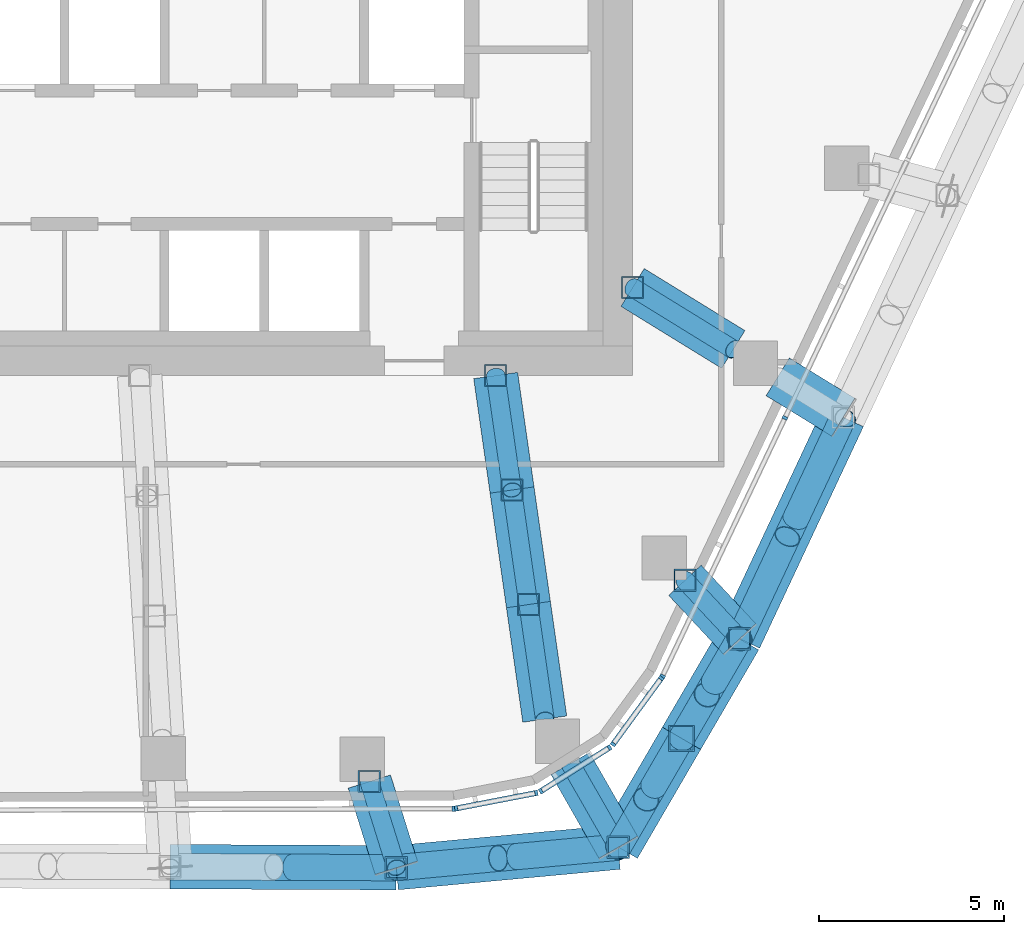
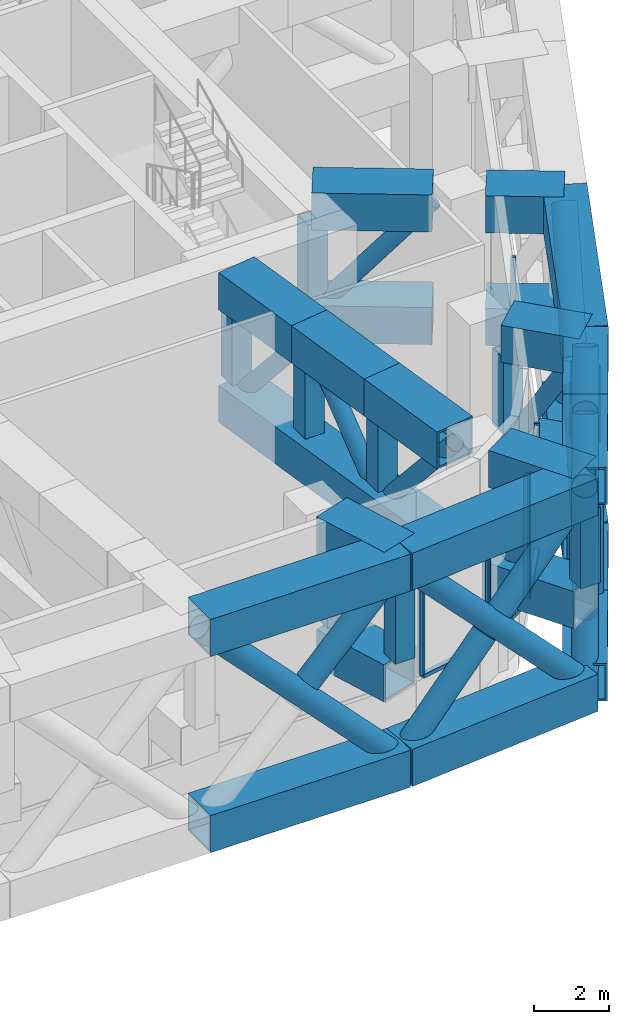
# One storey, part 5 of 21: 67 members, 3 elements without a shape of their own.
"""IFC4 building model written with IfcOpenShell, lengths in metres."""

from ifc_helpers import new_model, si_unit, direction, frame, origin, origin_2d, place, context, subcontext, project, spatial, rectangle, hollow_rectangle, hollow_circle, extrude, material, layer, layer_set, material_profile, profile_set, type_object, element, aggregate, save


model = new_model("IFC4")

# Units and contexts
model_context = context("Model", 3, precision=1e-05, world=origin(), true_north=direction((0.0, 1.0)))
body_context = subcontext(model_context, "Body", "Model", "MODEL_VIEW")
ifc_project = project(units=[si_unit("LENGTHUNIT", "METRE"), si_unit("AREAUNIT", "SQUARE_METRE"), si_unit("VOLUMEUNIT", "CUBIC_METRE"), si_unit("PLANEANGLEUNIT", "RADIAN"), si_unit("MASSUNIT", "GRAM", prefix="KILO")], contexts=[model_context])

# Site, building, storey
site_placement = place(None, origin())
site = spatial("IfcSite", under=ifc_project, at=site_placement, CompositionType="ELEMENT")
building_placement = place(site_placement, origin())
building = spatial("IfcBuilding", under=site, at=building_placement, Name="Dongbaek Canopy Tower", CompositionType="ELEMENT")
storey_placement = place(building_placement, frame((0.0, 0.0, 220.60009765625)))
storey = spatial("IfcBuildingStorey", under=building, at=storey_placement, Name="L46", CompositionType="ELEMENT", Elevation=220.60009765625)

# Members
ifc_material_1 = material(Name="Steel S355", Category="steel")
ifc_material_profile_1 = material_profile(ifc_material_1, hollow_circle(Radius=0.35546875, WallThickness=0.02001953125, at=origin_2d()), Name="BELT BRACE CHS 711.0x20.0 Steel S355")
ifc_profile_set_1 = profile_set([ifc_material_profile_1], Name="Steel S355")
member_type_1 = type_object("IfcMemberType", Name="BELT BRACE CHS 711.0x20.0 Steel S355", PredefinedType="BRACE", material=ifc_profile_set_1)
member_1_placement = place(storey_placement, frame((19.69482421875, -12.127197265625, 0.599853515625), z_axis=(-0.306001209366, -0.65309553153, 0.692697254622), x_axis=(0.905532094181, -0.424277770344, 0.0)))
element("IfcMember", 1, at=member_1_placement, inside=storey, type_object=member_type_1, Name="BELT:L46:24:D0:0", PredefinedType="BRACE", context=body_context, shape_type="SweptSolid", body=[
    extrude(hollow_circle(Radius=0.35546875, WallThickness=0.02001953125, at=origin_2d()), origin(), (0.0, 0.0, 1.0), 9.167236328125),
])
member_2_placement = place(storey_placement, frame((16.8896484375, -18.1142578125, 0.599853515625), z_axis=(0.306053734632, 0.653107120507, 0.692663122059), x_axis=(-0.905507006118, 0.424331311443, 0.0)))
element("IfcMember", 2, at=member_2_placement, inside=storey, type_object=member_type_1, Name="BELT:L46:24:D0:1", PredefinedType="BRACE", context=body_context, shape_type="SweptSolid", body=[
    extrude(hollow_circle(Radius=0.35546875, WallThickness=0.02001953125, at=origin_2d()), origin(), (0.0, 0.0, 1.0), 4.227783203125),
])
member_3_placement = place(storey_placement, frame((19.69482421875, -12.127197265625, 6.949951171875), z_axis=(-0.306012937443, -0.653085546244, -0.692701487947), x_axis=(0.905523354183, -0.42429642354, 0.0)))
element("IfcMember", 3, at=member_3_placement, inside=storey, type_object=member_type_1, Name="BELT:L46:24:D0:2", PredefinedType="BRACE", context=body_context, shape_type="SweptSolid", body=[
    extrude(hollow_circle(Radius=0.35546875, WallThickness=0.02001953125, at=origin_2d()), origin(), (0.0, 0.0, 1.0), 4.2275390625),
])
member_4_placement = place(storey_placement, frame((16.8896484375, -18.1142578125, 0.599853515625), z_axis=(-0.221524083086, -0.380391751835, 0.897902664964), x_axis=(0.864145595078, -0.503241880717, 0.0)))
element("IfcMember", 4, at=member_4_placement, inside=storey, type_object=member_type_1, Name="BELT:L46:25:D0:0", PredefinedType="BRACE", context=body_context, shape_type="SweptSolid", body=[
    extrude(hollow_circle(Radius=0.35546875, WallThickness=0.02001953125, at=origin_2d()), origin(), (0.0, 0.0, 1.0), 7.072265625),
])
for number, where, z_axis, x_axis, name in (
    (5, (15.322998046875, -20.804443359375, 0.599853515625), (0.221565040854, 0.380402099773, 0.897888175198), (-0.86411108595, 0.503301133655, 0.0), "BELT:L46:25:D0:1"),
    (6, (16.8896484375, -18.1142578125, 6.949951171875), (-0.221489819963, -0.380408765786, -0.897903909428), (0.864189229594, -0.503166945907, 0.0), "BELT:L46:25:D0:2"),
):
    element("IfcMember", number, at=place(storey_placement, frame(where, z_axis=z_axis, x_axis=x_axis)), inside=storey, type_object=member_type_1, Name=name, PredefinedType="BRACE", context=body_context, shape_type="SweptSolid", body=[
        extrude(hollow_circle(Radius=0.35546875, WallThickness=0.02001953125, at=origin_2d()), origin(), (0.0, 0.0, 1.0), 3.08642578125),
    ])
member_5_placement = place(storey_placement, frame((15.322998046875, -20.804443359375, 0.599853515625), z_axis=(-0.237482847951, -0.408309194486, 0.88141108379), x_axis=(0.864420903605, -0.502768834963, 0.0)))
element("IfcMember", 7, at=member_5_placement, inside=storey, type_object=member_type_1, Name="BELT:L46:25:D1:0", PredefinedType="BRACE", context=body_context, shape_type="SweptSolid", body=[
    extrude(hollow_circle(Radius=0.35546875, WallThickness=0.02001953125, at=origin_2d()), origin(), (0.0, 0.0, 1.0), 7.204345703125),
])
member_6_placement = place(storey_placement, frame((13.612060546875, -23.74609375, 0.599853515625), z_axis=(0.23749460365, 0.408330799606, 0.881397907491), x_axis=(-0.864421649187, 0.502767553067, 0.0)))
element("IfcMember", 8, at=member_6_placement, inside=storey, type_object=member_type_1, Name="BELT:L46:25:D1:1", PredefinedType="BRACE", context=body_context, shape_type="SweptSolid", body=[
    extrude(hollow_circle(Radius=0.35546875, WallThickness=0.02001953125, at=origin_2d()), origin(), (0.0, 0.0, 1.0), 3.175537109375),
])
member_7_placement = place(storey_placement, frame((15.322998046875, -20.804443359375, 6.949951171875), z_axis=(-0.237429507798, -0.408274186013, -0.881441670142), x_axis=(0.864451248705, -0.50271665838, 0.0)))
element("IfcMember", 9, at=member_7_placement, inside=storey, type_object=member_type_1, Name="BELT:L46:25:D1:2", PredefinedType="BRACE", context=body_context, shape_type="SweptSolid", body=[
    extrude(hollow_circle(Radius=0.35546875, WallThickness=0.02001953125, at=origin_2d()), origin(), (0.0, 0.0, 1.0), 3.17529296875),
])
member_8_placement = place(storey_placement, frame((13.612060546875, -23.74609375, 0.599853515625), z_axis=(-0.685187593646, -0.063299159236, 0.725610899831), x_axis=(0.0919905205, -0.995759882772, 0.0)))
element("IfcMember", 10, at=member_8_placement, inside=storey, type_object=member_type_1, Name="BELT:L46:0:D0:0", PredefinedType="BRACE", context=body_context, shape_type="SweptSolid", body=[
    extrude(hollow_circle(Radius=0.35546875, WallThickness=0.02001953125, at=origin_2d()), origin(), (0.0, 0.0, 1.0), 8.75146484375),
])
for number, where, z_axis, x_axis, name in (
    (11, (7.61572265625, -24.300048828125, 0.599853515625), (0.685173939266, 0.06328793943, 0.725624771954), (-0.091976170473, 0.995761208355, 0.0), "BELT:L46:0:D0:1"),
    (12, (13.612060546875, -23.74609375, 6.949951171875), (-0.685173939266, -0.06328793943, -0.725624771954), (0.091976170473, -0.995761208355, 0.0), "BELT:L46:0:D0:2"),
):
    element("IfcMember", number, at=place(storey_placement, frame(where, z_axis=z_axis, x_axis=x_axis)), inside=storey, type_object=member_type_1, Name=name, PredefinedType="BRACE", context=body_context, shape_type="SweptSolid", body=[
        extrude(hollow_circle(Radius=0.35546875, WallThickness=0.02001953125, at=origin_2d()), origin(), (0.0, 0.0, 1.0), 4.01953125),
    ])
member_9_placement = place(storey_placement, frame((7.61572265625, -24.300048828125, 0.599853515625), z_axis=(-0.693571103119, 0.003185076146, 0.720381135378), x_axis=(-0.004592236538, -0.999989455626, 0.0)))
element("IfcMember", 13, at=member_9_placement, inside=storey, type_object=member_type_1, Name="BELT:L46:1:D0:0", PredefinedType="BRACE", context=body_context, shape_type="SweptSolid", body=[
    extrude(hollow_circle(Radius=0.35546875, WallThickness=0.02001953125, at=origin_2d()), origin(), (0.0, 0.0, 1.0), 8.81494140625),
])
member_10_placement = place(storey_placement, frame((7.61572265625, -24.300048828125, 6.949951171875), z_axis=(-0.693599937179, 0.003193536328, -0.720353335851), x_axis=(-0.004604242744, -0.999989400418, 0.0)))
element("IfcMember", 14, at=member_10_placement, inside=storey, type_object=member_type_1, Name="BELT:L46:1:D0:2", PredefinedType="BRACE", context=body_context, shape_type="SweptSolid", body=[
    extrude(hollow_circle(Radius=0.35546875, WallThickness=0.02001953125, at=origin_2d()), origin(), (0.0, 0.0, 1.0), 4.0517578125),
])
ifc_material_2 = material(Name="Steel S355", Category="steel")
ifc_material_profile_2 = material_profile(ifc_material_2, hollow_rectangle(XDim=1.199951171875, YDim=1.199951171875, WallThickness=0.06005859375, at=origin_2d()), Name="BELT CHORD BOX 1200x1200x60 Steel S355")
ifc_profile_set_2 = profile_set([ifc_material_profile_2], Name="Steel S355")
member_type_2 = type_object("IfcMemberType", Name="BELT CHORD BOX 1200x1200x60 Steel S355", PredefinedType="CHORD", material=ifc_profile_set_2)
for number, where, z_axis, x_axis, name in (
    (15, (19.69482421875, -12.127197265625, 0.599853515625), (-0.424277770344, -0.905532094181, 0.0), (0.905532094181, -0.424277770344, 0.0), "BELT:L46:24:CB0"),
    (16, (19.69482421875, -12.127197265625, 6.949951171875), (-0.424277770344, -0.905532094181, 0.0), (0.905532094181, -0.424277770344, 0.0), "BELT:L46:24:CT0"),
):
    element("IfcMember", number, at=place(storey_placement, frame(where, z_axis=z_axis, x_axis=x_axis)), inside=storey, type_object=member_type_2, Name=name, PredefinedType="CHORD", context=body_context, shape_type="SweptSolid", body=[
        extrude(hollow_rectangle(XDim=1.199951171875, YDim=1.199951171875, WallThickness=0.06005859375, at=origin_2d()), origin(), (0.0, 0.0, 1.0), 6.611572265625),
    ])
for number, where, z_axis, x_axis, name in (
    (17, (16.8896484375, -18.1142578125, 0.599853515625), (-0.503241880717, -0.864145595078, 0.0), (0.864145595078, -0.503241880717, 0.0), "BELT:L46:25:CB0"),
    (18, (16.8896484375, -18.1142578125, 6.949951171875), (-0.503241880717, -0.864145595078, 0.0), (0.864145595078, -0.503241880717, 0.0), "BELT:L46:25:CT0"),
):
    element("IfcMember", number, at=place(storey_placement, frame(where, z_axis=z_axis, x_axis=x_axis)), inside=storey, type_object=member_type_2, Name=name, PredefinedType="CHORD", context=body_context, shape_type="SweptSolid", body=[
        extrude(hollow_rectangle(XDim=1.199951171875, YDim=1.199951171875, WallThickness=0.06005859375, at=origin_2d()), origin(), (0.0, 0.0, 1.0), 3.113037109375),
    ])
for number, where, z_axis, x_axis, name in (
    (19, (15.322998046875, -20.804443359375, 0.599853515625), (-0.502768834963, -0.864420903605, 0.0), (0.864420903605, -0.502768834963, 0.0), "BELT:L46:25:CB1"),
    (20, (15.322998046875, -20.804443359375, 6.949951171875), (-0.502768834963, -0.864420903605, 0.0), (0.864420903605, -0.502768834963, 0.0), "BELT:L46:25:CT1"),
):
    element("IfcMember", number, at=place(storey_placement, frame(where, z_axis=z_axis, x_axis=x_axis)), inside=storey, type_object=member_type_2, Name=name, PredefinedType="CHORD", context=body_context, shape_type="SweptSolid", body=[
        extrude(hollow_rectangle(XDim=1.199951171875, YDim=1.199951171875, WallThickness=0.06005859375, at=origin_2d()), origin(), (0.0, 0.0, 1.0), 3.403076171875),
    ])
for number, where, z_axis, x_axis, name in (
    (21, (13.612060546875, -23.74609375, 0.599853515625), (-0.995759882772, -0.0919905205, 0.0), (0.0919905205, -0.995759882772, 0.0), "BELT:L46:0:CB0"),
    (22, (13.612060546875, -23.74609375, 6.949951171875), (-0.995759882772, -0.0919905205, 0.0), (0.0919905205, -0.995759882772, 0.0), "BELT:L46:0:CT0"),
):
    element("IfcMember", number, at=place(storey_placement, frame(where, z_axis=z_axis, x_axis=x_axis)), inside=storey, type_object=member_type_2, Name=name, PredefinedType="CHORD", context=body_context, shape_type="SweptSolid", body=[
        extrude(hollow_rectangle(XDim=1.199951171875, YDim=1.199951171875, WallThickness=0.06005859375, at=origin_2d()), origin(), (0.0, 0.0, 1.0), 6.02197265625),
    ])
for number, where, z_axis, x_axis, name in (
    (23, (7.61572265625, -24.300048828125, 0.599853515625), (-0.999989455626, 0.004592236538, 0.0), (-0.004592236538, -0.999989455626, 0.0), "BELT:L46:1:CB0"),
    (24, (7.61572265625, -24.300048828125, 6.949951171875), (-0.999989455626, 0.004592236538, 0.0), (-0.004592236538, -0.999989455626, 0.0), "BELT:L46:1:CT0"),
):
    element("IfcMember", number, at=place(storey_placement, frame(where, z_axis=z_axis, x_axis=x_axis)), inside=storey, type_object=member_type_2, Name=name, PredefinedType="CHORD", context=body_context, shape_type="SweptSolid", body=[
        extrude(hollow_rectangle(XDim=1.199951171875, YDim=1.199951171875, WallThickness=0.06005859375, at=origin_2d()), origin(), (0.0, 0.0, 1.0), 6.11376953125),
    ])
ifc_material_3 = material(Name="Steel S355", Category="steel")
ifc_material_profile_3 = material_profile(ifc_material_3, hollow_rectangle(XDim=0.699951171875, YDim=0.699951171875, WallThickness=0.035888671875, at=origin_2d()), Name="BELT POST BOX 700x700x36 Steel S355")
ifc_profile_set_3 = profile_set([ifc_material_profile_3], Name="Steel S355")
member_type_3 = type_object("IfcMemberType", Name="BELT POST BOX 700x700x36 Steel S355", PredefinedType="POST", material=ifc_profile_set_3)
member_11_placement = place(storey_placement, frame((15.322998046875, -20.804443359375, 1.199951171875), z_axis=(0.0, 0.0, 1.0), x_axis=(1.0, 0.0, 0.0)))
element("IfcMember", 25, at=member_11_placement, inside=storey, type_object=member_type_3, Name="BELT:L46:25:P1", PredefinedType="POST", context=body_context, shape_type="SweptSolid", body=[
    extrude(hollow_rectangle(XDim=0.699951171875, YDim=0.699951171875, WallThickness=0.035888671875, at=origin_2d()), origin(), (0.0, 0.0, 1.0), 5.14990234375),
])
ifc_material_4 = material(Name="Steel S355", Category="steel")
ifc_material_profile_4 = material_profile(ifc_material_4, hollow_circle(Radius=0.25390625, WallThickness=0.01611328125, at=origin_2d()), Name="BRACE CHS 508.0x16.0 Steel S355")
ifc_profile_set_4 = profile_set([ifc_material_profile_4], Name="Steel S355")
member_type_4 = type_object("IfcMemberType", Name="BRACE CHS 508.0x16.0 Steel S355", PredefinedType="BRACE", material=ifc_profile_set_4)
member_12_placement = place(storey_placement, frame((6.885986328125, -21.971923828125, 3.2998046875), z_axis=(0.166209057405, -0.530267504656, 0.831378928493), x_axis=(0.954223230185, 0.299095347632, 0.0)))
element("IfcMember", 26, at=member_12_placement, inside=storey, type_object=member_type_4, Name="TRUSS:L46:1:D0", PredefinedType="BRACE", context=body_context, shape_type="SweptSolid", body=[
    extrude(hollow_circle(Radius=0.25390625, WallThickness=0.01611328125, at=origin_2d()), origin(), (0.0, 0.0, 1.0), 4.390380859375),
])
member_13_placement = place(storey_placement, frame((15.414306640625, -16.531982421875, 3.2998046875), z_axis=(0.347704713663, -0.372906544639, 0.86025702035), x_axis=(0.731389177572, 0.681960314777, 0.0)))
element("IfcMember", 27, at=member_13_placement, inside=storey, type_object=member_type_4, Name="TRUSS:L46:25:D0", PredefinedType="BRACE", context=body_context, shape_type="SweptSolid", body=[
    extrude(hollow_circle(Radius=0.25390625, WallThickness=0.01611328125, at=origin_2d()), origin(), (0.0, 0.0, 1.0), 4.2431640625),
])
ifc_material_5 = material(Name="Steel S355", Category="steel")
ifc_material_profile_5 = material_profile(ifc_material_5, hollow_rectangle(XDim=1.199951171875, YDim=1.199951171875, WallThickness=0.06005859375, at=origin_2d()), Name="CHORD BOX 1200x1200x60 Steel S355")
ifc_profile_set_5 = profile_set([ifc_material_profile_5], Name="Steel S355")
member_type_5 = type_object("IfcMemberType", Name="CHORD BOX 1200x1200x60 Steel S355", PredefinedType="CHORD", material=ifc_profile_set_5)
for number, where, z_axis, x_axis, name in (
    (28, (6.885986328125, -21.971923828125, 3.2998046875), (0.299095347632, -0.954223230185, 0.0), (0.954223230185, 0.299095347632, 0.0), "TRUSS:L46:1:CB"),
    (29, (6.885986328125, -21.971923828125, 6.949951171875), (0.299095347632, -0.954223230185, 0.0), (0.954223230185, 0.299095347632, 0.0), "TRUSS:L46:1:CT0"),
):
    element("IfcMember", number, at=place(storey_placement, frame(where, z_axis=z_axis, x_axis=x_axis)), inside=storey, type_object=member_type_5, Name=name, PredefinedType="CHORD", context=body_context, shape_type="SweptSolid", body=[
        extrude(hollow_rectangle(XDim=1.199951171875, YDim=1.199951171875, WallThickness=0.06005859375, at=origin_2d()), origin(), (0.0, 0.0, 1.0), 2.439697265625),
    ])
for number, where, z_axis, x_axis, name in (
    (30, (15.414306640625, -16.531982421875, 3.2998046875), (0.681960314777, -0.731389177572, 0.0), (0.731389177572, 0.681960314777, 0.0), "TRUSS:L46:25:CB"),
    (31, (15.414306640625, -16.531982421875, 6.949951171875), (0.681960314777, -0.731389177572, 0.0), (0.731389177572, 0.681960314777, 0.0), "TRUSS:L46:25:CT0"),
):
    element("IfcMember", number, at=place(storey_placement, frame(where, z_axis=z_axis, x_axis=x_axis)), inside=storey, type_object=member_type_5, Name=name, PredefinedType="CHORD", context=body_context, shape_type="SweptSolid", body=[
        extrude(hollow_rectangle(XDim=1.199951171875, YDim=1.199951171875, WallThickness=0.06005859375, at=origin_2d()), origin(), (0.0, 0.0, 1.0), 2.163330078125),
    ])

# Curtain wall, member
ifc_material_6 = material(Name="Aluminium 6063-T6 pale anodised", Category="aluminium")
ifc_layer = layer(ifc_material_6, 0.14990234375)
ifc_layer_set = layer_set([ifc_layer], Name="CW-7 louvre curtain wall")
curtain_wall_type = type_object("IfcCurtainWallType", Name="CW-7 louvre curtain wall", PredefinedType="NOTDEFINED", material=ifc_layer_set)
curtain_wall_1_placement = place(storey_placement, origin())
curtain_wall_1 = element("IfcCurtainWall", 32, at=curtain_wall_1_placement, inside=storey, type_object=curtain_wall_type, Name="CW-7 louvre wall L46 F4", PredefinedType="NOTDEFINED")
ifc_material_7 = material(Name="Aluminium 6063-T6 pale anodised", Category="aluminium")
ifc_material_profile_6 = material_profile(ifc_material_7, rectangle(XDim=0.14990234375, YDim=0.080078125, at=origin_2d()), Name="CW-7 mullion 80 x 150")
ifc_profile_set_6 = profile_set([ifc_material_profile_6], Name="Aluminium 6063-T6 pale anodised")
member_type_6 = type_object("IfcMemberType", Name="CW-7 mullion 80 x 150", PredefinedType="MULLION", material=ifc_profile_set_6)
member_14_placement = place(storey_placement, frame((9.1669921875, -22.704833984375, 1.77490234375), z_axis=(0.0, 0.0, 1.0), x_axis=(0.003105553262, -0.999995177758, 0.0)))
member_14 = element("IfcMember", 33, at=member_14_placement, type_object=member_type_6, Name="CW-7 mullion L46 F4.1.3", PredefinedType="MULLION", context=body_context, shape_type="SweptSolid", body=[
    extrude(rectangle(XDim=0.14990234375, YDim=0.080078125, at=origin_2d()), origin(), (0.0, 0.0, 1.0), 4.0),
])
aggregate(curtain_wall_1, [member_14])

# Curtain wall, members
curtain_wall_2_placement = place(storey_placement, origin())
curtain_wall_2 = element("IfcCurtainWall", 34, at=curtain_wall_2_placement, inside=storey, type_object=curtain_wall_type, Name="CW-7 louvre wall L46 K5", PredefinedType="NOTDEFINED")
member_15_placement = place(storey_placement, frame((9.232177734375, -22.698486328125, 1.77490234375), z_axis=(0.0, 0.0, 1.0), x_axis=(0.189422207011, -0.981895731476, 0.0)))
member_15 = element("IfcMember", 35, at=member_15_placement, type_object=member_type_6, Name="CW-7 mullion L46 K5.1.1", PredefinedType="MULLION", context=body_context, shape_type="SweptSolid", body=[
    extrude(rectangle(XDim=0.14990234375, YDim=0.080078125, at=origin_2d()), origin(), (0.0, 0.0, 1.0), 4.0),
])
member_16_placement = place(storey_placement, frame((11.400390625, -22.2802734375, 1.77490234375), z_axis=(0.0, 0.0, 1.0), x_axis=(0.189422207011, -0.981895731476, 0.0)))
member_16 = element("IfcMember", 36, at=member_16_placement, type_object=member_type_6, Name="CW-7 mullion L46 K5.1.2", PredefinedType="MULLION", context=body_context, shape_type="SweptSolid", body=[
    extrude(rectangle(XDim=0.14990234375, YDim=0.080078125, at=origin_2d()), origin(), (0.0, 0.0, 1.0), 4.0),
])
member_17_placement = place(storey_placement, frame((11.521728515625, -22.232177734375, 1.77490234375), z_axis=(0.0, 0.0, 1.0), x_axis=(0.535846388296, -0.844315490886, 0.0)))
member_17 = element("IfcMember", 37, at=member_17_placement, type_object=member_type_6, Name="CW-7 mullion L46 K5.2.1", PredefinedType="MULLION", context=body_context, shape_type="SweptSolid", body=[
    extrude(rectangle(XDim=0.14990234375, YDim=0.080078125, at=origin_2d()), origin(), (0.0, 0.0, 1.0), 4.0),
])
member_18_placement = place(storey_placement, frame((13.3779296875, -21.053955078125, 1.77490234375), z_axis=(0.0, 0.0, 1.0), x_axis=(0.535846388296, -0.844315490886, 0.0)))
member_18 = element("IfcMember", 38, at=member_18_placement, type_object=member_type_6, Name="CW-7 mullion L46 K5.2.2", PredefinedType="MULLION", context=body_context, shape_type="SweptSolid", body=[
    extrude(rectangle(XDim=0.14990234375, YDim=0.080078125, at=origin_2d()), origin(), (0.0, 0.0, 1.0), 4.0),
])
member_19_placement = place(storey_placement, frame((13.47314453125, -20.96484375, 1.77490234375), z_axis=(0.0, 0.0, 1.0), x_axis=(0.807821124814, -0.589427714231, 0.0)))
member_19 = element("IfcMember", 39, at=member_19_placement, type_object=member_type_6, Name="CW-7 mullion L46 K5.3.1", PredefinedType="MULLION", context=body_context, shape_type="SweptSolid", body=[
    extrude(rectangle(XDim=0.14990234375, YDim=0.080078125, at=origin_2d()), origin(), (0.0, 0.0, 1.0), 4.0),
])
member_20_placement = place(storey_placement, frame((14.774658203125, -19.18115234375, 1.77490234375), z_axis=(0.0, 0.0, 1.0), x_axis=(0.807821124814, -0.589427714231, 0.0)))
member_20 = element("IfcMember", 40, at=member_20_placement, type_object=member_type_6, Name="CW-7 mullion L46 K5.3.2", PredefinedType="MULLION", context=body_context, shape_type="SweptSolid", body=[
    extrude(rectangle(XDim=0.14990234375, YDim=0.080078125, at=origin_2d()), origin(), (0.0, 0.0, 1.0), 4.0),
])

curtain_wall_3_placement = place(storey_placement, origin())
curtain_wall_3 = element("IfcCurtainWall", 41, at=curtain_wall_3_placement, inside=storey, type_object=curtain_wall_type, Name="CW-7 louvre wall L46 F5", PredefinedType="NOTDEFINED")
member_21_placement = place(storey_placement, frame((14.80810546875, -19.124755859375, 1.77490234375), z_axis=(0.0, 0.0, 1.0), x_axis=(0.903520299515, -0.428545293248, 0.0)))
member_21 = element("IfcMember", 42, at=member_21_placement, type_object=member_type_6, Name="CW-7 mullion L46 F5.1.1", PredefinedType="MULLION", context=body_context, shape_type="SweptSolid", body=[
    extrude(rectangle(XDim=0.14990234375, YDim=0.080078125, at=origin_2d()), origin(), (0.0, 0.0, 1.0), 4.0),
])
member_22_placement = place(storey_placement, frame((18.1181640625, -12.146240234375, 1.77490234375), z_axis=(0.0, 0.0, 1.0), x_axis=(0.903520299515, -0.428545293248, 0.0)))
member_22 = element("IfcMember", 43, at=member_22_placement, type_object=member_type_6, Name="CW-7 mullion L46 F5.1.2", PredefinedType="MULLION", context=body_context, shape_type="SweptSolid", body=[
    extrude(rectangle(XDim=0.14990234375, YDim=0.080078125, at=origin_2d()), origin(), (0.0, 0.0, 1.0), 4.0),
])
aggregate(curtain_wall_3, [member_21, member_22])

# Member
ifc_material_8 = material(Name="Aluminium 6063-T6 pale anodised", Category="aluminium")
ifc_material_profile_7 = material_profile(ifc_material_8, rectangle(XDim=0.14990234375, YDim=0.1201171875, at=origin_2d()), Name="CW-7 transom 120 x 150")
ifc_profile_set_7 = profile_set([ifc_material_profile_7], Name="Aluminium 6063-T6 pale anodised")
member_type_7 = type_object("IfcMemberType", Name="CW-7 transom 120 x 150", PredefinedType="USERDEFINED", material=ifc_profile_set_7)
member_23_placement = place(storey_placement, frame((9.232177734375, -22.698486328125, 1.71484375), z_axis=(0.98190141143, 0.189392761826, 0.0), x_axis=(-0.189392761826, 0.98190141143, 0.0)))
member_23 = element("IfcMember", 44, at=member_23_placement, type_object=member_type_7, Name="CW-7 transom L46 K5.1", ObjectType="TRANSOM", PredefinedType="USERDEFINED", context=body_context, shape_type="SweptSolid", body=[
    extrude(rectangle(XDim=0.14990234375, YDim=0.1201171875, at=origin_2d()), origin(), (0.0, 0.0, 1.0), 2.208251953125),
])

member_24_placement = place(storey_placement, frame((11.521728515625, -22.232177734375, 1.71484375), z_axis=(0.844278211895, 0.535905123057, 0.0), x_axis=(-0.535905123057, 0.844278211895, 0.0)))
member_24 = element("IfcMember", 45, at=member_24_placement, type_object=member_type_7, Name="CW-7 transom L46 K5.2", ObjectType="TRANSOM", PredefinedType="USERDEFINED", context=body_context, shape_type="SweptSolid", body=[
    extrude(rectangle(XDim=0.14990234375, YDim=0.1201171875, at=origin_2d()), origin(), (0.0, 0.0, 1.0), 2.198486328125),
])

member_25_placement = place(storey_placement, frame((13.47314453125, -20.96484375, 1.71484375), z_axis=(0.589439820184, 0.807812291552, 0.0), x_axis=(-0.807812291552, 0.589439820184, 0.0)))
member_25 = element("IfcMember", 46, at=member_25_placement, type_object=member_type_7, Name="CW-7 transom L46 K5.3", ObjectType="TRANSOM", PredefinedType="USERDEFINED", context=body_context, shape_type="SweptSolid", body=[
    extrude(rectangle(XDim=0.14990234375, YDim=0.1201171875, at=origin_2d()), origin(), (0.0, 0.0, 1.0), 2.2080078125),
])

aggregate(curtain_wall_2, [member_23, member_15, member_16, member_24, member_17, member_18, member_25, member_19, member_20])

# Members
ifc_material_9 = material(Name="Steel S355", Category="steel")
ifc_material_profile_8 = material_profile(ifc_material_9, hollow_circle(Radius=0.25390625, WallThickness=0.01611328125, at=origin_2d()), Name="OUTRIGGER BRACE CHS 508.0x16.0 Steel S355")
ifc_profile_set_8 = profile_set([ifc_material_profile_8], Name="Steel S355")
member_type_8 = type_object("IfcMemberType", Name="OUTRIGGER BRACE CHS 508.0x16.0 Steel S355", PredefinedType="BRACE", material=ifc_profile_set_8)
for number, where, z_axis, x_axis, name in (
    (47, (10.300048828125, -11.0, 3.2998046875), (0.0920974382, -0.643970890272, 0.759486375361), (0.989927617056, 0.141574407961, 0.0), "TRUSS:L46:0:D0"),
    (48, (10.74267578125, -14.094970703125, 6.949951171875), (0.0920974382, -0.643970890272, -0.759486375361), (0.989927617056, 0.141574407961, 0.0), "TRUSS:L46:0:D1"),
    (49, (11.185302734375, -17.18994140625, 3.2998046875), (0.092147805344, -0.643967876709, 0.759482821226), (0.989916670243, 0.141650930017, 0.0), "TRUSS:L46:0:D2"),
):
    element("IfcMember", number, at=place(storey_placement, frame(where, z_axis=z_axis, x_axis=x_axis)), inside=storey, type_object=member_type_8, Name=name, PredefinedType="BRACE", context=body_context, shape_type="SweptSolid", body=[
        extrude(hollow_circle(Radius=0.25390625, WallThickness=0.01611328125, at=origin_2d()), origin(), (0.0, 0.0, 1.0), 4.80615234375),
    ])
member_26_placement = place(storey_placement, frame((12.31591796875, -21.485107421875, 3.2998046875), z_axis=(0.288992205525, -0.504116936404, 0.813848646602), x_axis=(0.867556297505, 0.497338989683, 0.0)))
element("IfcMember", 50, at=member_26_placement, inside=storey, type_object=member_type_8, Name="TRUSS:L46:0s:D0", PredefinedType="BRACE", context=body_context, shape_type="SweptSolid", body=[
    extrude(hollow_circle(Radius=0.25390625, WallThickness=0.01611328125, at=origin_2d()), origin(), (0.0, 0.0, 1.0), 4.485107421875),
])
member_27_placement = place(storey_placement, frame((14.0, -8.62060546875, 3.2998046875), z_axis=(0.560994887815, -0.345432765705, 0.752303755289), x_axis=(0.524323258165, 0.851519301571, 0.0)))
element("IfcMember", 51, at=member_27_placement, inside=storey, type_object=member_type_8, Name="TRUSS:L46:24:D0", PredefinedType="BRACE", context=body_context, shape_type="SweptSolid", body=[
    extrude(hollow_circle(Radius=0.25390625, WallThickness=0.01611328125, at=origin_2d()), origin(), (0.0, 0.0, 1.0), 4.85205078125),
])
ifc_material_10 = material(Name="Steel S355", Category="steel")
ifc_material_profile_9 = material_profile(ifc_material_10, hollow_rectangle(XDim=1.199951171875, YDim=1.199951171875, WallThickness=0.06005859375, at=origin_2d()), Name="OUTRIGGER CHORD BOX 1200x1200x60 Steel S355")
ifc_profile_set_9 = profile_set([ifc_material_profile_9], Name="Steel S355")
member_type_9 = type_object("IfcMemberType", Name="OUTRIGGER CHORD BOX 1200x1200x60 Steel S355", PredefinedType="CHORD", material=ifc_profile_set_9)
member_28_placement = place(storey_placement, frame((10.300048828125, -11.0, 3.2998046875), z_axis=(0.141599915595, -0.989923968749, 0.0), x_axis=(0.989923968749, 0.141599915595, 0.0)))
element("IfcMember", 52, at=member_28_placement, inside=storey, type_object=member_type_9, Name="TRUSS:L46:0:CB", PredefinedType="CHORD", context=body_context, shape_type="SweptSolid", body=[
    extrude(hollow_rectangle(XDim=1.199951171875, YDim=1.199951171875, WallThickness=0.06005859375, at=origin_2d()), origin(), (0.0, 0.0, 1.0), 9.37939453125),
])
for number, where, z_axis, x_axis, name in (
    (53, (10.300048828125, -11.0, 6.949951171875), (0.141574407961, -0.989927617056, 0.0), (0.989927617056, 0.141574407961, 0.0), "TRUSS:L46:0:CT0"),
    (54, (10.74267578125, -14.094970703125, 6.949951171875), (0.141574407961, -0.989927617056, 0.0), (0.989927617056, 0.141574407961, 0.0), "TRUSS:L46:0:CT1"),
    (55, (11.185302734375, -17.18994140625, 6.949951171875), (0.141650930017, -0.989916670243, 0.0), (0.989916670243, 0.141650930017, 0.0), "TRUSS:L46:0:CT2"),
):
    element("IfcMember", number, at=place(storey_placement, frame(where, z_axis=z_axis, x_axis=x_axis)), inside=storey, type_object=member_type_9, Name=name, PredefinedType="CHORD", context=body_context, shape_type="SweptSolid", body=[
        extrude(hollow_rectangle(XDim=1.199951171875, YDim=1.199951171875, WallThickness=0.06005859375, at=origin_2d()), origin(), (0.0, 0.0, 1.0), 3.12646484375),
    ])
for number, where, z_axis, x_axis, name in (
    (56, (12.31591796875, -21.485107421875, 3.2998046875), (0.497338989683, -0.867556297505, 0.0), (0.867556297505, 0.497338989683, 0.0), "TRUSS:L46:0s:CB"),
    (57, (12.31591796875, -21.485107421875, 6.949951171875), (0.497338989683, -0.867556297505, 0.0), (0.867556297505, 0.497338989683, 0.0), "TRUSS:L46:0s:CT0"),
):
    element("IfcMember", number, at=place(storey_placement, frame(where, z_axis=z_axis, x_axis=x_axis)), inside=storey, type_object=member_type_9, Name=name, PredefinedType="CHORD", context=body_context, shape_type="SweptSolid", body=[
        extrude(hollow_rectangle(XDim=1.199951171875, YDim=1.199951171875, WallThickness=0.06005859375, at=origin_2d()), origin(), (0.0, 0.0, 1.0), 2.606201171875),
    ])
for number, where, z_axis, x_axis, name in (
    (58, (14.0, -8.62060546875, 3.2998046875), (0.851519301571, -0.524323258165, 0.0), (0.524323258165, 0.851519301571, 0.0), "TRUSS:L46:24:CB"),
    (59, (14.0, -8.62060546875, 6.949951171875), (0.851519301571, -0.524323258165, 0.0), (0.524323258165, 0.851519301571, 0.0), "TRUSS:L46:24:CT0"),
):
    element("IfcMember", number, at=place(storey_placement, frame(where, z_axis=z_axis, x_axis=x_axis)), inside=storey, type_object=member_type_9, Name=name, PredefinedType="CHORD", context=body_context, shape_type="SweptSolid", body=[
        extrude(hollow_rectangle(XDim=1.199951171875, YDim=1.199951171875, WallThickness=0.06005859375, at=origin_2d()), origin(), (0.0, 0.0, 1.0), 3.196533203125),
    ])
for number, where, z_axis, x_axis, name in (
    (60, (17.922119140625, -11.035400390625, 3.2998046875), (0.851464997159, -0.5244114402, 0.0), (0.5244114402, 0.851464997159, 0.0), "TRUSS:L46:24s:CB"),
    (61, (17.922119140625, -11.035400390625, 6.949951171875), (0.851464997159, -0.5244114402, 0.0), (0.5244114402, 0.851464997159, 0.0), "TRUSS:L46:24s:CT0"),
):
    element("IfcMember", number, at=place(storey_placement, frame(where, z_axis=z_axis, x_axis=x_axis)), inside=storey, type_object=member_type_9, Name=name, PredefinedType="CHORD", context=body_context, shape_type="SweptSolid", body=[
        extrude(hollow_rectangle(XDim=1.199951171875, YDim=1.199951171875, WallThickness=0.06005859375, at=origin_2d()), origin(), (0.0, 0.0, 1.0), 2.08203125),
    ])
ifc_material_11 = material(Name="Steel S355", Category="steel")
ifc_material_profile_10 = material_profile(ifc_material_11, hollow_rectangle(XDim=0.60009765625, YDim=0.60009765625, WallThickness=0.031982421875, at=origin_2d()), Name="OUTRIGGER POST BOX 600x600x32 Steel S355")
ifc_profile_set_10 = profile_set([ifc_material_profile_10], Name="Steel S355")
member_type_10 = type_object("IfcMemberType", Name="OUTRIGGER POST BOX 600x600x32 Steel S355", PredefinedType="POST", material=ifc_profile_set_10)
for number, where, z_axis, x_axis, name in (
    (62, (10.300048828125, -11.0, 3.89990234375), (0.0, 0.0, 1.0), (1.0, 0.0, 0.0), "TRUSS:L46:0:P0"),
    (63, (10.74267578125, -14.094970703125, 3.89990234375), (0.0, 0.0, 1.0), (1.0, 0.0, 0.0), "TRUSS:L46:0:P1"),
    (64, (11.185302734375, -17.18994140625, 3.89990234375), (0.0, 0.0, 1.0), (1.0, 0.0, 0.0), "TRUSS:L46:0:P2"),
    (65, (13.612060546875, -23.74609375, 3.89990234375), (0.0, 0.0, 1.0), (1.0, 0.0, 0.0), "TRUSS:L46:0s:P1"),
    (66, (14.0, -8.62060546875, 3.89990234375), (0.0, 0.0, 1.0), (1.0, 0.0, 0.0), "TRUSS:L46:24:P0"),
):
    element("IfcMember", number, at=place(storey_placement, frame(where, z_axis=z_axis, x_axis=x_axis)), inside=storey, type_object=member_type_10, Name=name, PredefinedType="POST", context=body_context, shape_type="SweptSolid", body=[
        extrude(hollow_rectangle(XDim=0.60009765625, YDim=0.60009765625, WallThickness=0.031982421875, at=origin_2d()), origin(), (0.0, 0.0, 1.0), 2.449951171875),
    ])
ifc_material_12 = material(Name="Steel S355", Category="steel")
ifc_material_profile_11 = material_profile(ifc_material_12, hollow_rectangle(XDim=0.60009765625, YDim=0.60009765625, WallThickness=0.031982421875, at=origin_2d()), Name="POST BOX 600x600x32 Steel S355")
ifc_profile_set_11 = profile_set([ifc_material_profile_11], Name="Steel S355")
member_type_11 = type_object("IfcMemberType", Name="POST BOX 600x600x32 Steel S355", PredefinedType="POST", material=ifc_profile_set_11)
for number, where, z_axis, x_axis, name in (
    (67, (6.885986328125, -21.971923828125, 3.89990234375), (0.0, 0.0, 1.0), (1.0, 0.0, 0.0), "TRUSS:L46:1:P0"),
    (68, (7.61572265625, -24.300048828125, 3.89990234375), (0.0, 0.0, 1.0), (1.0, 0.0, 0.0), "TRUSS:L46:1:P1"),
    (69, (15.414306640625, -16.531982421875, 3.89990234375), (0.0, 0.0, 1.0), (1.0, 0.0, 0.0), "TRUSS:L46:25:P0"),
    (70, (16.8896484375, -18.1142578125, 3.89990234375), (0.0, 0.0, 1.0), (1.0, 0.0, 0.0), "TRUSS:L46:25:P1"),
):
    element("IfcMember", number, at=place(storey_placement, frame(where, z_axis=z_axis, x_axis=x_axis)), inside=storey, type_object=member_type_11, Name=name, PredefinedType="POST", context=body_context, shape_type="SweptSolid", body=[
        extrude(hollow_rectangle(XDim=0.60009765625, YDim=0.60009765625, WallThickness=0.031982421875, at=origin_2d()), origin(), (0.0, 0.0, 1.0), 2.449951171875),
    ])

save(model, "model.ifc")
